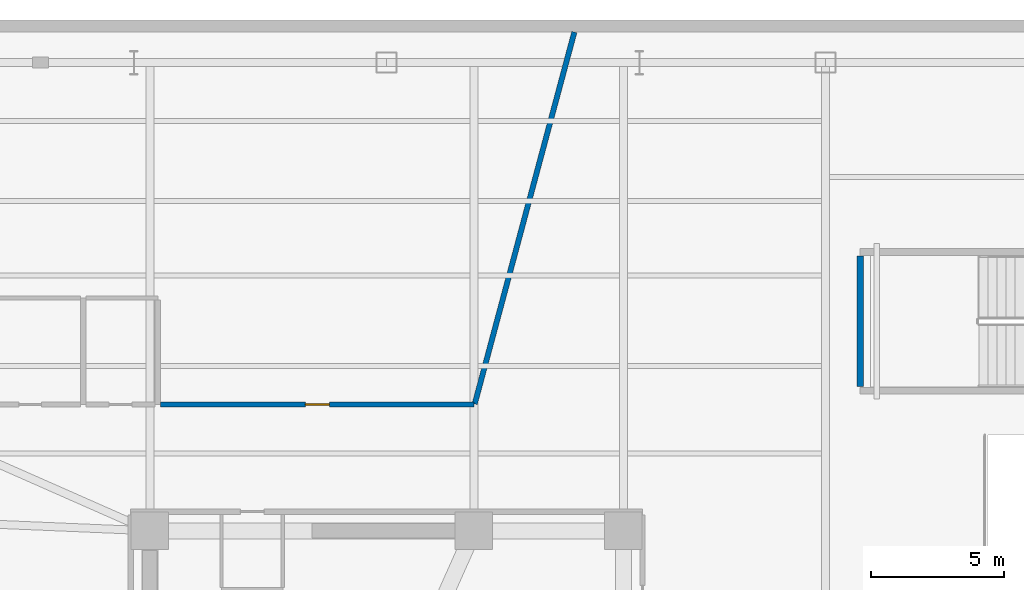
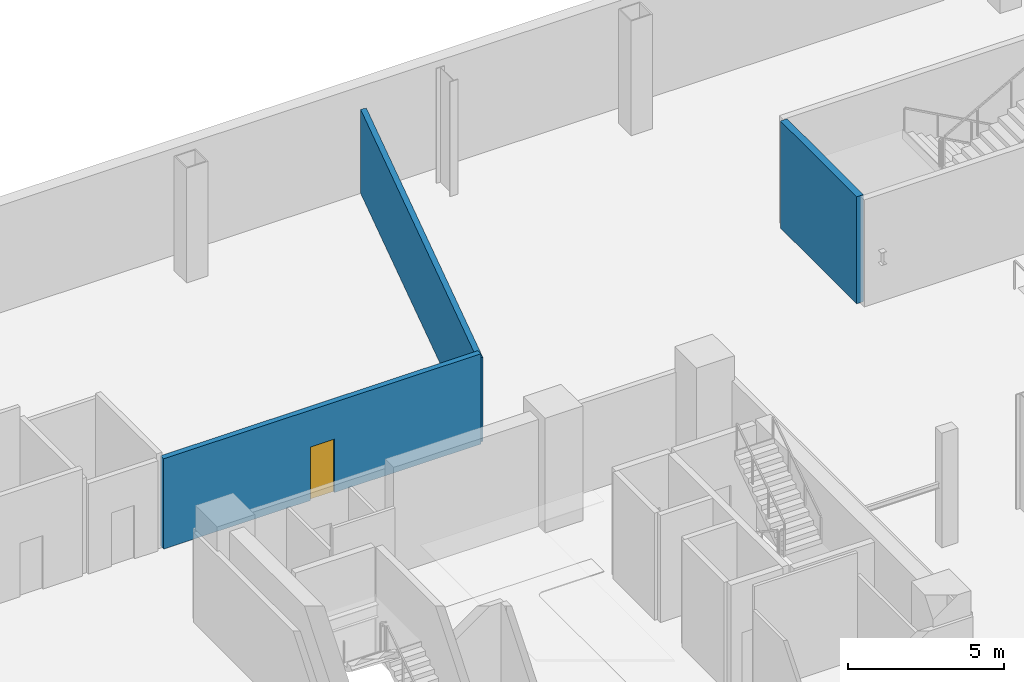
# One storey, part 8 of 14: 3 walls, 1 door, 1 opening.
"""IFC4 building model written with IfcOpenShell, lengths in metres."""

from ifc_helpers import new_model, si_unit, direction, frame, frame_2d, origin, place, context, subcontext, project, spatial, rectangle, extrude, material, layer, layer_set, type_object, element, fill, save


model = new_model("IFC4")

# Units and contexts
model_context = context("Model", 3, precision=1e-05, world=origin(), true_north=direction((0.0, 1.0)))
body_context = subcontext(model_context, "Body", "Model", "MODEL_VIEW")
ifc_project = project(units=[si_unit("LENGTHUNIT", "METRE"), si_unit("AREAUNIT", "SQUARE_METRE"), si_unit("VOLUMEUNIT", "CUBIC_METRE"), si_unit("PLANEANGLEUNIT", "RADIAN"), si_unit("MASSUNIT", "GRAM", prefix="KILO")], contexts=[model_context])

# Site, building, storey
site_placement = place(None, origin())
site = spatial("IfcSite", under=ifc_project, at=site_placement, CompositionType="ELEMENT")
building_placement = place(site_placement, origin())
building = spatial("IfcBuilding", under=site, at=building_placement, Name="Tharavind Bronze Gate", CompositionType="ELEMENT")
storey_placement = place(building_placement, frame((0.0, 0.0, -4.5)))
storey = spatial("IfcBuildingStorey", under=building, at=storey_placement, Name="B01", CompositionType="ELEMENT", Elevation=-4.5)

# Wall
ifc_material_1 = material(Name="Aerated Concrete Block", Category="concrete")
ifc_layer_1 = layer(ifc_material_1, 0.199951171875)
ifc_layer_set_1 = layer_set([ifc_layer_1], Name="Aerated Concrete Block")
wall_type_1 = type_object("IfcWallType", Name="FIRE RATED PARTITION 200", PredefinedType="PARTITIONING", material=ifc_layer_set_1)
wall_1_placement = place(storey_placement, frame((7.05908203125, 26.344970703125, 0.0), z_axis=(0.0, 0.0, 1.0), x_axis=(-0.258810302239, -0.96592816889, 0.0)))
element("IfcWall", 1, at=wall_1_placement, inside=storey, type_object=wall_type_1, Name="B01 Loading Dock & Goods Receiving partition", PredefinedType="PARTITIONING", context=body_context, shape_type="SweptSolid", body=[
    extrude(rectangle(XDim=14.469482421875, YDim=0.199951171875, at=frame_2d((7.23486328125, 0.0))), origin(), (0.0, 0.0, 1.0), 3.294921875),
])

# Wall, opening, door
wall_2_placement = place(storey_placement, frame((3.2900390625, 12.35009765625, 0.0), z_axis=(0.0, 0.0, 1.0), x_axis=(-1.0, 0.0, 0.0)))
wall_2 = element("IfcWall", 2, at=wall_2_placement, inside=storey, type_object=wall_type_1, Name="B01 Loading Dock & Goods Receiving partition", PredefinedType="PARTITIONING", context=body_context, shape_type="SweptSolid", body=[
    extrude(rectangle(XDim=11.78515625, YDim=0.199951171875, at=frame_2d((5.892578125, 0.0))), origin(), (0.0, 0.0, 1.0), 3.544921875),
])
opening_placement = place(wall_2_placement, frame((5.44189453125, 0.0, 0.0)))
opening = element("IfcOpeningElement", 3, at=opening_placement, cuts=wall_2, Name="Opening ID07", PredefinedType="OPENING", context=body_context, shape_type="SweptSolid", body=[
    extrude(rectangle(XDim=0.89990234375, YDim=2.10009765625, at=frame_2d((0.449951171875, 1.050048828125))), frame((0.0, 0.11009765625, 0.0), z_axis=(0.0, -1.0, 0.0), x_axis=(1.0, 0.0, 0.0)), (0.0, 0.0, 1.0), 0.219951171875),
])
ifc_material_2 = material(Name="Galvanised Fire Steel", Category="steel")
door_type = type_object("IfcDoorType", Name="PLANT AND RISER FIRE DOOR 900X2100", OperationType="SINGLE_SWING_LEFT", PredefinedType="DOOR", material=ifc_material_2)
door_placement = place(opening_placement, origin())
door = element("IfcDoor", 4, at=door_placement, inside=storey, type_object=door_type, Name="B01 Loading Dock & Goods Receiving door", OperationType="SINGLE_SWING_LEFT", OverallHeight=2.10009765625, OverallWidth=0.89990234375, PredefinedType="DOOR", context=body_context, shape_type="SweptSolid", body=[
    extrude(rectangle(XDim=0.89990234375, YDim=2.10009765625, at=frame_2d((0.449951171875, 1.050048828125))), frame((0.0, 0.02490234375, 0.0), z_axis=(0.0, -1.0, 0.0), x_axis=(1.0, 0.0, 0.0)), (0.0, 0.0, 1.0), 0.050048828125),
])
fill(opening, door)

# Wall
ifc_material_3 = material(Name="Concrete C50/60", Category="concrete")
ifc_layer_2 = layer(ifc_material_3, 0.25)
ifc_layer_set_2 = layer_set([ifc_layer_2], Name="Concrete C50/60")
wall_type_2 = type_object("IfcWallType", Name="RC CORE SHEAR WALL 250", PredefinedType="SHEAR", material=ifc_layer_set_2)
wall_3_placement = place(storey_placement, frame((17.800048828125, 13.02001953125, 0.0), z_axis=(0.0, 0.0, 1.0), x_axis=(0.0, 1.0, 0.0)))
element("IfcWall", 5, at=wall_3_placement, inside=storey, type_object=wall_type_2, Name="B01 ST4 west wall", PredefinedType="SHEAR", context=body_context, shape_type="SweptSolid", body=[
    extrude(rectangle(XDim=4.909912109375, YDim=0.25, at=frame_2d((2.455078125, 0.0))), origin(), (0.0, 0.0, 1.0), 4.199951171875),
])

save(model, "model.ifc")
